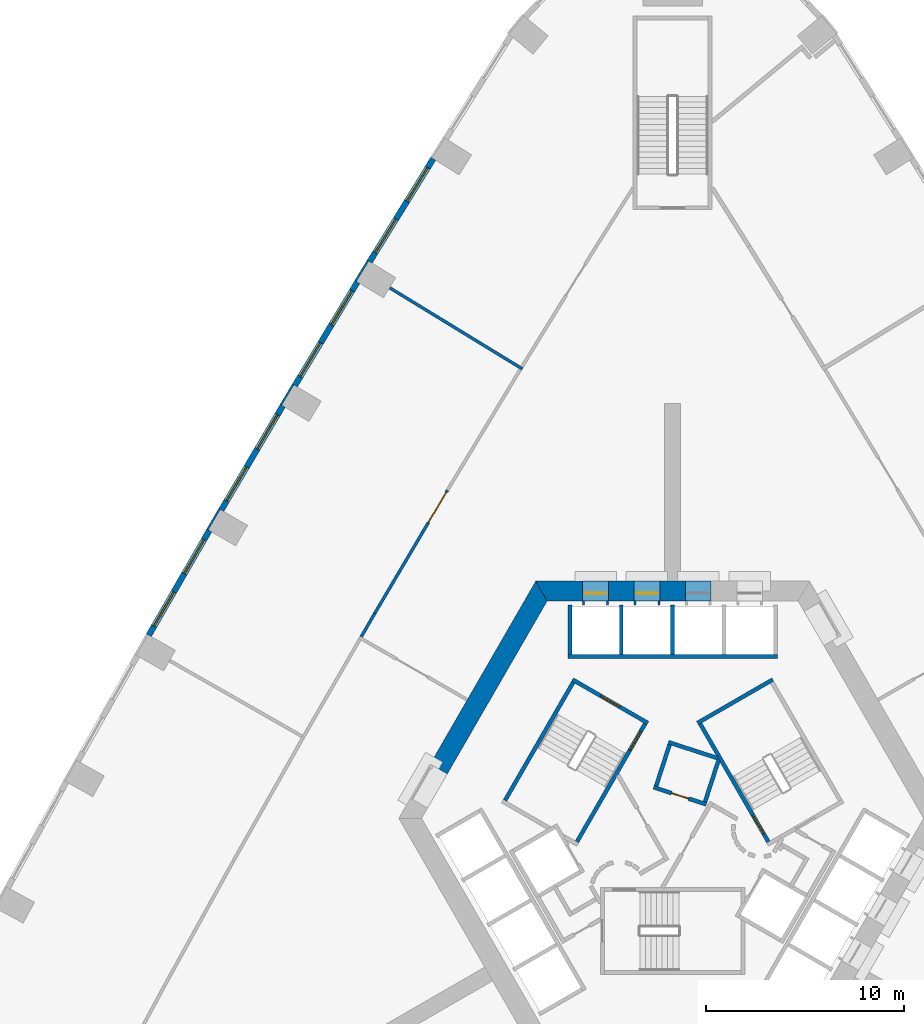
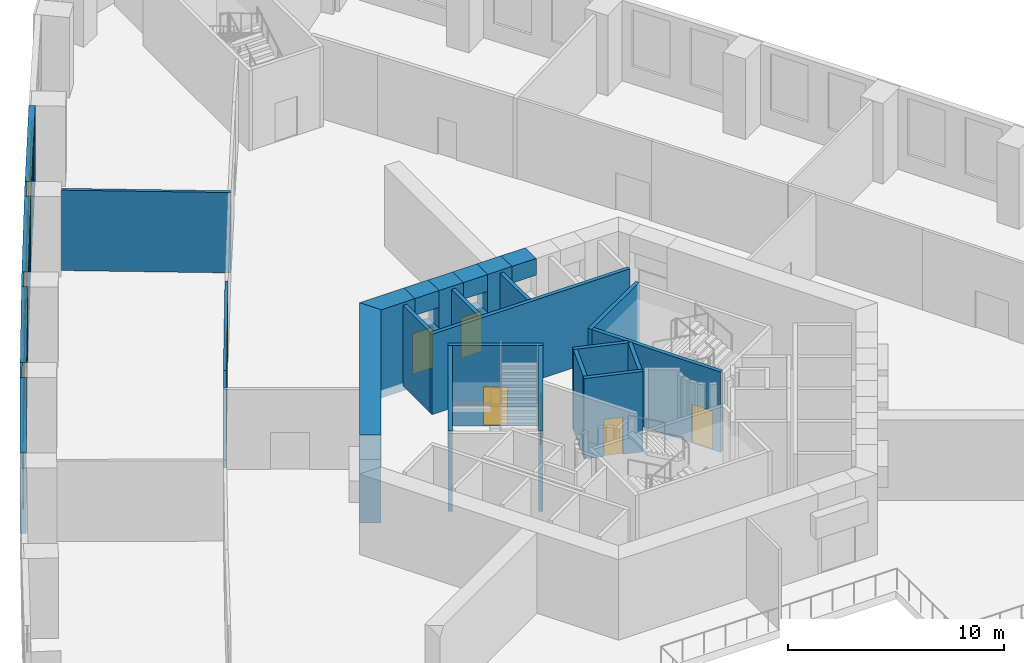
# One storey, part 5 of 16: 32 walls, 8 windows, 7 doors, 15 openings.
"""IFC4 building model written with IfcOpenShell, lengths in metres."""

from ifc_helpers import new_model, si_unit, direction, frame, frame_2d, origin, place, context, subcontext, project, spatial, polyline, rectangle, outline, extrude, material, layer, layer_set, type_object, element, fill, save


model = new_model("IFC4")

# Units and contexts
model_context = context("Model", 3, precision=1e-05, world=origin(), true_north=direction((0.0, 1.0)))
body_context = subcontext(model_context, "Body", "Model", "MODEL_VIEW")
ifc_project = project(units=[si_unit("LENGTHUNIT", "METRE"), si_unit("AREAUNIT", "SQUARE_METRE"), si_unit("VOLUMEUNIT", "CUBIC_METRE"), si_unit("PLANEANGLEUNIT", "RADIAN"), si_unit("MASSUNIT", "GRAM", prefix="KILO")], contexts=[model_context])

# Site, building, storey
site_placement = place(None, origin())
site = spatial("IfcSite", under=ifc_project, at=site_placement, CompositionType="ELEMENT")
building_placement = place(site_placement, origin())
building = spatial("IfcBuilding", under=site, at=building_placement, Name="Entoto Arch Interchange Tower", CompositionType="ELEMENT")
storey_placement = place(building_placement, frame((0.0, 0.0, 15.0)))
storey = spatial("IfcBuildingStorey", under=building, at=storey_placement, Name="L02", CompositionType="ELEMENT", Elevation=15.0)

# Walls
ifc_material_1 = material(Name="Concrete C60/75", Category="concrete")
ifc_layer_1 = layer(ifc_material_1, 1.0)
ifc_layer_set_1 = layer_set([ifc_layer_1], Name="Concrete C60/75")
wall_type_1 = type_object("IfcWallType", Name="Core wall 1000 C60/75", PredefinedType="SHEAR", material=ifc_layer_set_1)
wall_1_placement = place(storey_placement, frame((0.0, 0.0, -0.449951171875)))
element("IfcWall", 1, at=wall_1_placement, inside=storey, type_object=wall_type_1, Name="Core wall N L02", PredefinedType="SHEAR", context=body_context, shape_type="SweptSolid", body=[
    extrude(outline(polyline([(-0.64990234375, 14.5), (-0.64990234375, 13.5), (0.64990234375, 13.5), (0.64990234375, 14.5), (-0.64990234375, 14.5)])), origin(), (0.0, 0.0, 1.0), 5.0),
])
wall_2_placement = place(storey_placement, frame((0.0, 0.0, -0.449951171875)))
element("IfcWall", 2, at=wall_2_placement, inside=storey, type_object=wall_type_1, Name="Core wall N L02", PredefinedType="SHEAR", context=body_context, shape_type="SweptSolid", body=[
    extrude(outline(polyline([(-3.25, 14.5), (-3.25, 13.5), (-1.949951171875, 13.5), (-1.949951171875, 14.5), (-3.25, 14.5)])), origin(), (0.0, 0.0, 1.0), 5.0),
])
wall_3_placement = place(storey_placement, frame((0.0, 0.0, -0.449951171875)))
element("IfcWall", 3, at=wall_3_placement, inside=storey, type_object=wall_type_1, Name="Core wall N L02", PredefinedType="SHEAR", context=body_context, shape_type="SweptSolid", body=[
    extrude(outline(polyline([(-4.550048828125, 13.5), (-4.550048828125, 14.5), (-6.927978515625, 14.5), (-6.35107421875, 13.5), (-4.550048828125, 13.5)])), origin(), (0.0, 0.0, 1.0), 5.0),
])
wall_4_placement = place(storey_placement, frame((0.0, 0.0, 3.60009765625)))
element("IfcWall", 4, at=wall_4_placement, inside=storey, type_object=wall_type_1, Name="Core wall lintel N L02", PredefinedType="SHEAR", context=body_context, shape_type="SweptSolid", body=[
    extrude(outline(polyline([(0.64990234375, 14.5), (0.64990234375, 13.5), (1.949951171875, 13.5), (1.949951171875, 14.5), (0.64990234375, 14.5)])), origin(), (0.0, 0.0, 1.0), 0.949951171875),
])
wall_5_placement = place(storey_placement, frame((0.0, 0.0, 3.60009765625)))
element("IfcWall", 5, at=wall_5_placement, inside=storey, type_object=wall_type_1, Name="Core wall lintel N L02", PredefinedType="SHEAR", context=body_context, shape_type="SweptSolid", body=[
    extrude(outline(polyline([(-1.949951171875, 14.5), (-1.949951171875, 13.5), (-0.64990234375, 13.5), (-0.64990234375, 14.5), (-1.949951171875, 14.5)])), origin(), (0.0, 0.0, 1.0), 0.949951171875),
])
wall_6_placement = place(storey_placement, frame((0.0, 0.0, 3.60009765625)))
element("IfcWall", 6, at=wall_6_placement, inside=storey, type_object=wall_type_1, Name="Core wall lintel N L02", PredefinedType="SHEAR", context=body_context, shape_type="SweptSolid", body=[
    extrude(outline(polyline([(-4.550048828125, 14.5), (-4.550048828125, 13.5), (-3.25, 13.5), (-3.25, 14.5), (-4.550048828125, 14.5)])), origin(), (0.0, 0.0, 1.0), 0.949951171875),
])
wall_7_placement = place(storey_placement, frame((0.0, 0.0, -0.449951171875)))
element("IfcWall", 7, at=wall_7_placement, inside=storey, type_object=wall_type_1, Name="Core wall NW L02", PredefinedType="SHEAR", context=body_context, shape_type="SweptSolid", body=[
    extrude(outline(polyline([(-12.26708984375, 5.251953125), (-11.402099609375, 4.751953125), (-6.35107421875, 13.5), (-6.927978515625, 14.5), (-12.26708984375, 5.251953125)])), origin(), (0.0, 0.0, 1.0), 5.0),
])

# Wall, opening, door
ifc_material_2 = material(Name="Concrete C40/50", Category="concrete")
ifc_layer_2 = layer(ifc_material_2, 1.199951171875)
ifc_layer_set_2 = layer_set([ifc_layer_2], Name="Concrete C40/50")
wall_type_2 = type_object("IfcWallType", Name="LIFT LANDING INFILL WALL", PredefinedType="STANDARD", material=ifc_layer_set_2)
wall_8_placement = place(storey_placement, frame((-0.64990234375, 13.89990234375, 0.0), z_axis=(0.0, 0.0, 1.0), x_axis=(-1.0, 0.0, 0.0)))
wall_8 = element("IfcWall", 8, at=wall_8_placement, inside=storey, type_object=wall_type_2, Name="Lift landing infill wall LR3 L02", PredefinedType="STANDARD", context=body_context, shape_type="SweptSolid", body=[
    extrude(rectangle(XDim=1.300048828125, YDim=1.199951171875, at=frame_2d((0.64990234375, 0.0))), origin(), (0.0, 0.0, 1.0), 2.39990234375),
])
opening_1_placement = place(wall_8_placement, frame((0.10009765625, 0.0, 0.0)))
opening_1 = element("IfcOpeningElement", 9, at=opening_1_placement, cuts=wall_8, Name="Opening LD-LR3-L02", PredefinedType="OPENING", context=body_context, shape_type="SweptSolid", body=[
    extrude(rectangle(XDim=1.10009765625, YDim=2.300048828125, at=frame_2d((0.550048828125, 1.14990234375))), frame((0.0, 0.60986328125, 0.0), z_axis=(0.0, -1.0, 0.0), x_axis=(1.0, 0.0, 0.0)), (0.0, 0.0, 1.0), 1.219970703125),
])
ifc_material_3 = material(Name="Stainless steel 1.4301 panels", Category="steel")
door_type_1 = type_object("IfcDoorType", Name="LIFT LANDING DOOR LD2 1100x2300", OperationType="SLIDING_TO_LEFT", PredefinedType="DOOR", material=ifc_material_3)
door_1_placement = place(opening_1_placement, origin())
door_1 = element("IfcDoor", 10, at=door_1_placement, inside=storey, type_object=door_type_1, Name="Lift landing door LR3 L02", OperationType="SLIDING_TO_LEFT", OverallHeight=2.300048828125, OverallWidth=1.10009765625, PredefinedType="DOOR", context=body_context, shape_type="SweptSolid", body=[
    extrude(rectangle(XDim=1.10009765625, YDim=2.300048828125, at=frame_2d((0.550048828125, 1.14990234375))), frame((0.0, 0.02490234375, 0.0), z_axis=(0.0, -1.0, 0.0), x_axis=(1.0, 0.0, 0.0)), (0.0, 0.0, 1.0), 0.050048828125),
])
fill(opening_1, door_1)

wall_9_placement = place(storey_placement, frame((-3.25, 13.89990234375, 0.0), z_axis=(0.0, 0.0, 1.0), x_axis=(-1.0, 0.0, 0.0)))
wall_9 = element("IfcWall", 11, at=wall_9_placement, inside=storey, type_object=wall_type_2, Name="Lift landing infill wall LR4 L02", PredefinedType="STANDARD", context=body_context, shape_type="SweptSolid", body=[
    extrude(rectangle(XDim=1.300048828125, YDim=1.199951171875, at=frame_2d((0.64990234375, 0.0))), origin(), (0.0, 0.0, 1.0), 2.39990234375),
])
opening_2_placement = place(wall_9_placement, frame((0.10009765625, 0.0, 0.0)))
opening_2 = element("IfcOpeningElement", 12, at=opening_2_placement, cuts=wall_9, Name="Opening LD-LR4-L02", PredefinedType="OPENING", context=body_context, shape_type="SweptSolid", body=[
    extrude(rectangle(XDim=1.10009765625, YDim=2.300048828125, at=frame_2d((0.550048828125, 1.14990234375))), frame((0.0, 0.60986328125, 0.0), z_axis=(0.0, -1.0, 0.0), x_axis=(1.0, 0.0, 0.0)), (0.0, 0.0, 1.0), 1.219970703125),
])
door_2_placement = place(opening_2_placement, origin())
door_2 = element("IfcDoor", 13, at=door_2_placement, inside=storey, type_object=door_type_1, Name="Lift landing door LR4 L02", OperationType="SLIDING_TO_LEFT", OverallHeight=2.300048828125, OverallWidth=1.10009765625, PredefinedType="DOOR", context=body_context, shape_type="SweptSolid", body=[
    extrude(rectangle(XDim=1.10009765625, YDim=2.300048828125, at=frame_2d((0.550048828125, 1.14990234375))), frame((0.0, 0.02490234375, 0.0), z_axis=(0.0, -1.0, 0.0), x_axis=(1.0, 0.0, 0.0)), (0.0, 0.0, 1.0), 0.050048828125),
])
fill(opening_2, door_2)

# Walls
ifc_layer_3 = layer(ifc_material_2, 0.199951171875)
ifc_layer_set_3 = layer_set([ifc_layer_3], Name="Concrete C40/50")
wall_type_3 = type_object("IfcWallType", Name="LIFT SHAFT WALL 200", PredefinedType="STANDARD", material=ifc_layer_set_3)
wall_10_placement = place(storey_placement, frame((5.300048828125, 10.699951171875, 0.0), z_axis=(0.0, 0.0, 1.0), x_axis=(-1.0, 0.0, 0.0)))
element("IfcWall", 14, at=wall_10_placement, inside=storey, type_object=wall_type_3, Name="Shaft wall N3 front", PredefinedType="STANDARD", context=body_context, shape_type="SweptSolid", body=[
    extrude(rectangle(XDim=10.60009765625, YDim=0.199951171875, at=frame_2d((5.300048828125, 0.0))), origin(), (0.0, 0.0, 1.0), 4.550048828125),
])
for number, where, z_axis, x_axis, name in (
    (15, (0.0, 10.800048828125, 0.0), (0.0, 0.0, 1.0), (0.0, 1.0, 0.0), "Shaft wall N3 cross 3"),
    (16, (-2.60009765625, 10.800048828125, 0.0), (0.0, 0.0, 1.0), (0.0, 1.0, 0.0), "Shaft wall N3 cross 4"),
    (17, (-5.199951171875, 10.800048828125, 0.0), (0.0, 0.0, 1.0), (0.0, 1.0, 0.0), "Shaft wall N3 cross 5"),
):
    element("IfcWall", number, at=place(storey_placement, frame(where, z_axis=z_axis, x_axis=x_axis)), inside=storey, type_object=wall_type_3, Name=name, PredefinedType="STANDARD", context=body_context, shape_type="SweptSolid", body=[
        extrude(rectangle(XDim=2.5, YDim=0.199951171875, at=frame_2d((1.25, 0.0))), origin(), (0.0, 0.0, 1.0), 4.550048828125),
    ])
ifc_material_4 = material(Name="Gypsum board partition on steel studs", Category="steel")
ifc_layer_4 = layer(ifc_material_4, 0.14990234375)
ifc_layer_set_4 = layer_set([ifc_layer_4], Name="Gypsum board partition on steel studs")
wall_type_4 = type_object("IfcWallType", Name="PARTITION 150", PredefinedType="PARTITIONING", material=ifc_layer_set_4)
wall_11_placement = place(storey_placement, frame((-7.60400390625, 25.243896484375, 0.0), z_axis=(0.0, 0.0, 1.0), x_axis=(-0.853159640052, 0.521649909985, 0.0)))
element("IfcWall", 18, at=wall_11_placement, inside=storey, type_object=wall_type_4, Name="wall:L02:p062", PredefinedType="PARTITIONING", context=body_context, shape_type="SweptSolid", body=[
    extrude(rectangle(XDim=7.854248046875, YDim=0.14990234375, at=frame_2d((3.92724609375, 0.0))), origin(), (0.0, 0.0, 1.0), 4.550048828125),
])

# Wall, opening, door
wall_12_placement = place(storey_placement, frame((-11.39697265625, 19.10107421875, 0.0), z_axis=(0.0, 0.0, 1.0), x_axis=(-0.508419849244, -0.861109317621, 0.0)))
wall_12 = element("IfcWall", 19, at=wall_12_placement, inside=storey, type_object=wall_type_4, Name="wall:L02:p067", PredefinedType="PARTITIONING", context=body_context, shape_type="SweptSolid", body=[
    extrude(rectangle(XDim=7.230224609375, YDim=0.14990234375, at=frame_2d((3.615234375, 0.0))), origin(), (0.0, 0.0, 1.0), 4.550048828125),
])
opening_3_placement = place(wall_12_placement, frame((0.10009765625, 0.0, 0.0)))
opening_3 = element("IfcOpeningElement", 20, at=opening_3_placement, cuts=wall_12, Name="Opening L02-D10", PredefinedType="OPENING", context=body_context, shape_type="SweptSolid", body=[
    extrude(rectangle(XDim=1.800048828125, YDim=2.10009765625, at=frame_2d((0.89990234375, 1.050048828125))), frame((0.0, 0.0849609375, 0.0), z_axis=(0.0, -1.0, 0.0), x_axis=(1.0, 0.0, 0.0)), (0.0, 0.0, 1.0), 0.169921875),
])
ifc_material_5 = material(Name="Timber door leaf in Steel S235 frame", Category="steel")
door_type_2 = type_object("IfcDoorType", Name="DOOR DD-18 1800x2100", OperationType="DOUBLE_DOOR_SINGLE_SWING", PredefinedType="DOOR", material=ifc_material_5)
door_3_placement = place(opening_3_placement, origin())
door_3 = element("IfcDoor", 21, at=door_3_placement, inside=storey, type_object=door_type_2, Name="door:L02:10", OperationType="DOUBLE_DOOR_SINGLE_SWING", OverallHeight=2.10009765625, OverallWidth=1.800048828125, PredefinedType="DOOR", context=body_context, shape_type="SweptSolid", body=[
    extrude(rectangle(XDim=1.800048828125, YDim=2.10009765625, at=frame_2d((0.89990234375, 1.050048828125))), frame((0.0, 0.02490234375, 0.0), z_axis=(0.0, -1.0, 0.0), x_axis=(1.0, 0.0, 0.0)), (0.0, 0.0, 1.0), 0.050048828125),
])
fill(opening_3, door_3)

# Walls
wall_13_placement = place(storey_placement, frame((-15.072998046875, 12.875, 0.0), z_axis=(0.0, 0.0, 1.0), x_axis=(-0.499773776046, -0.866155974855, 0.0)))
element("IfcWall", 22, at=wall_13_placement, inside=storey, type_object=wall_type_4, Name="wall:L02:p068", PredefinedType="PARTITIONING", context=body_context, shape_type="SweptSolid", body=[
    extrude(rectangle(XDim=1.372802734375, YDim=0.14990234375, at=frame_2d((0.6865234375, 0.0))), origin(), (0.0, 0.0, 1.0), 4.550048828125),
])
ifc_layer_5 = layer(ifc_material_4, 0.199951171875)
ifc_layer_set_5 = layer_set([ifc_layer_5], Name="Gypsum board partition on steel studs")
wall_type_5 = type_object("IfcWallType", Name="PARTITION 200", PredefinedType="PARTITIONING", material=ifc_layer_set_5)
wall_14_placement = place(storey_placement, frame((2.284912109375, 5.54296875, 0.0), z_axis=(0.0, 0.0, 1.0), x_axis=(-0.951121264368, 0.308817649215, 0.0)))
element("IfcWall", 23, at=wall_14_placement, inside=storey, type_object=wall_type_5, Name="wall:L02:p012", PredefinedType="PARTITIONING", context=body_context, shape_type="SweptSolid", body=[
    extrude(rectangle(XDim=2.632568359375, YDim=0.199951171875, at=frame_2d((1.31640625, 0.0))), origin(), (0.0, 0.0, 1.0), 4.550048828125),
])
wall_15_placement = place(storey_placement, frame((-0.155029296875, 6.22998046875, 0.0), z_axis=(0.0, 0.0, 1.0), x_axis=(-0.309093600997, -0.951031621884, 0.0)))
element("IfcWall", 24, at=wall_15_placement, inside=storey, type_object=wall_type_5, Name="wall:L02:p013", PredefinedType="PARTITIONING", context=body_context, shape_type="SweptSolid", body=[
    extrude(rectangle(XDim=2.19970703125, YDim=0.199951171875, at=frame_2d((1.099853515625, 0.0))), origin(), (0.0, 0.0, 1.0), 4.550048828125),
])

# Wall, opening, door
wall_16_placement = place(storey_placement, frame((-0.9609375, 4.073974609375, 0.0), z_axis=(0.0, 0.0, 1.0), x_axis=(0.951079555704, -0.308946077369, 0.0)))
wall_16 = element("IfcWall", 25, at=wall_16_placement, inside=storey, type_object=wall_type_5, Name="wall:L02:p014", PredefinedType="PARTITIONING", context=body_context, shape_type="SweptSolid", body=[
    extrude(rectangle(XDim=2.7998046875, YDim=0.199951171875, at=frame_2d((1.39990234375, 0.0))), origin(), (0.0, 0.0, 1.0), 4.550048828125),
])
opening_4_placement = place(wall_16_placement, frame((0.949951171875, 0.0, 0.0)))
opening_4 = element("IfcOpeningElement", 26, at=opening_4_placement, cuts=wall_16, Name="Opening L02-D16", PredefinedType="OPENING", context=body_context, shape_type="SweptSolid", body=[
    extrude(rectangle(XDim=0.89990234375, YDim=2.10009765625, at=frame_2d((0.449951171875, 1.050048828125))), frame((0.0, 0.10986328125, 0.0), z_axis=(0.0, -1.0, 0.0), x_axis=(1.0, 0.0, 0.0)), (0.0, 0.0, 1.0), 0.219970703125),
])
door_type_3 = type_object("IfcDoorType", Name="DOOR DS-09 900x2100", OperationType="SINGLE_SWING_LEFT", PredefinedType="DOOR", material=ifc_material_5)
door_4_placement = place(opening_4_placement, origin())
door_4 = element("IfcDoor", 27, at=door_4_placement, inside=storey, type_object=door_type_3, Name="door:L02:16", OperationType="SINGLE_SWING_LEFT", OverallHeight=2.10009765625, OverallWidth=0.89990234375, PredefinedType="DOOR", context=body_context, shape_type="SweptSolid", body=[
    extrude(rectangle(XDim=0.89990234375, YDim=2.10009765625, at=frame_2d((0.449951171875, 1.050048828125))), frame((0.0, 0.02490234375, 0.0), z_axis=(0.0, -1.0, 0.0), x_axis=(1.0, 0.0, 0.0)), (0.0, 0.0, 1.0), 0.050048828125),
])
fill(opening_4, door_4)

# Walls
wall_17_placement = place(storey_placement, frame((1.637939453125, 3.3349609375, 0.0), z_axis=(0.0, 0.0, 1.0), x_axis=(0.309152647294, 0.951012429294, 0.0)))
element("IfcWall", 28, at=wall_17_placement, inside=storey, type_object=wall_type_5, Name="wall:L02:p015", PredefinedType="PARTITIONING", context=body_context, shape_type="SweptSolid", body=[
    extrude(rectangle(XDim=2.23876953125, YDim=0.199951171875, at=frame_2d((1.119384765625, 0.0))), origin(), (0.0, 0.0, 1.0), 4.550048828125),
])
ifc_layer_6 = layer(ifc_material_2, 0.199951171875)
ifc_layer_set_6 = layer_set([ifc_layer_6], Name="Concrete C40/50")
wall_type_6 = type_object("IfcWallType", Name="STAIR ENCLOSURE WALL 200", PredefinedType="STANDARD", material=ifc_layer_set_6)
wall_18_placement = place(storey_placement, frame((1.256103515625, 7.323974609375, 0.0), z_axis=(0.0, 0.0, 1.0), x_axis=(0.866046073146, 0.499964197906, 0.0)))
element("IfcWall", 29, at=wall_18_placement, inside=storey, type_object=wall_type_6, Name="Stair wall ST-NE far", PredefinedType="STANDARD", context=body_context, shape_type="SweptSolid", body=[
    extrude(rectangle(XDim=4.400146484375, YDim=0.199951171875, at=frame_2d((2.2001953125, 0.0))), origin(), (0.0, 0.0, 1.0), 4.550048828125),
])

# Wall, opening, door
wall_19_placement = place(storey_placement, frame((4.843017578125, 1.31201171875, 0.0), z_axis=(0.0, 0.0, 1.0), x_axis=(-0.499963383562, 0.866046543262, 0.0)))
wall_19 = element("IfcWall", 30, at=wall_19_placement, inside=storey, type_object=wall_type_6, Name="Stair wall ST-NE hall", PredefinedType="STANDARD", context=body_context, shape_type="SweptSolid", body=[
    extrude(rectangle(XDim=6.900390625, YDim=0.199951171875, at=frame_2d((3.4501953125, 0.0))), origin(), (0.0, 0.0, 1.0), 4.550048828125),
])
opening_5_placement = place(wall_19_placement, frame((0.449951171875, 0.0, 0.0)))
opening_5 = element("IfcOpeningElement", 31, at=opening_5_placement, cuts=wall_19, Name="Opening SD-ST-NE-L02", PredefinedType="OPENING", context=body_context, shape_type="SweptSolid", body=[
    extrude(rectangle(XDim=1.10009765625, YDim=2.199951171875, at=frame_2d((0.550048828125, 1.10009765625))), frame((0.0, 0.10986328125, 0.0), z_axis=(0.0, -1.0, 0.0), x_axis=(1.0, 0.0, 0.0)), (0.0, 0.0, 1.0), 0.219970703125),
])
ifc_material_6 = material(Name="Steel S235", Category="steel")
door_type_4 = type_object("IfcDoorType", Name="STAIR DOOR SD1 1100x2200", OperationType="SINGLE_SWING_LEFT", PredefinedType="DOOR", material=ifc_material_6)
door_5_placement = place(opening_5_placement, origin())
door_5 = element("IfcDoor", 32, at=door_5_placement, inside=storey, type_object=door_type_4, Name="Stair door ST-NE L02", OperationType="SINGLE_SWING_LEFT", OverallHeight=2.199951171875, OverallWidth=1.10009765625, PredefinedType="DOOR", context=body_context, shape_type="SweptSolid", body=[
    extrude(rectangle(XDim=1.10009765625, YDim=2.199951171875, at=frame_2d((0.550048828125, 1.10009765625))), frame((0.0, 0.02490234375, 0.0), z_axis=(0.0, -1.0, 0.0), x_axis=(1.0, 0.0, 0.0)), (0.0, 0.0, 1.0), 0.050048828125),
])
fill(opening_5, door_5)

wall_20_placement = place(storey_placement, frame((-1.256103515625, 7.323974609375, 0.0), z_axis=(0.0, 0.0, 1.0), x_axis=(-0.866046073146, 0.499964197906, 0.0)))
wall_20 = element("IfcWall", 33, at=wall_20_placement, inside=storey, type_object=wall_type_6, Name="Stair wall ST-NW near", PredefinedType="STANDARD", context=body_context, shape_type="SweptSolid", body=[
    extrude(rectangle(XDim=4.400146484375, YDim=0.199951171875, at=frame_2d((2.2001953125, 0.0))), origin(), (0.0, 0.0, 1.0), 4.550048828125),
])
opening_6_placement = place(wall_20_placement, frame((1.64990234375, 0.0, 0.0)))
opening_6 = element("IfcOpeningElement", 34, at=opening_6_placement, cuts=wall_20, Name="Opening SD-ST-NW-L02-E", PredefinedType="OPENING", context=body_context, shape_type="SweptSolid", body=[
    extrude(rectangle(XDim=1.10009765625, YDim=2.199951171875, at=frame_2d((0.550048828125, 1.10009765625))), frame((0.0, 0.10986328125, 0.0), z_axis=(0.0, -1.0, 0.0), x_axis=(1.0, 0.0, 0.0)), (0.0, 0.0, 1.0), 0.219970703125),
])
door_6_placement = place(opening_6_placement, origin())
door_6 = element("IfcDoor", 35, at=door_6_placement, inside=storey, type_object=door_type_4, Name="Stair door ST-NW L02 end", OperationType="SINGLE_SWING_LEFT", OverallHeight=2.199951171875, OverallWidth=1.10009765625, PredefinedType="DOOR", context=body_context, shape_type="SweptSolid", body=[
    extrude(rectangle(XDim=1.10009765625, YDim=2.199951171875, at=frame_2d((0.550048828125, 1.10009765625))), frame((0.0, 0.02490234375, 0.0), z_axis=(0.0, -1.0, 0.0), x_axis=(1.0, 0.0, 0.0)), (0.0, 0.0, 1.0), 0.050048828125),
])
fill(opening_6, door_6)

wall_21_placement = place(storey_placement, frame((-1.39306640625, 7.2880859375, 0.0), z_axis=(0.0, 0.0, 1.0), x_axis=(-0.499963383562, -0.866046543262, 0.0)))
wall_21 = element("IfcWall", 36, at=wall_21_placement, inside=storey, type_object=wall_type_6, Name="Stair wall ST-NW hall", PredefinedType="STANDARD", context=body_context, shape_type="SweptSolid", body=[
    extrude(rectangle(XDim=6.900390625, YDim=0.199951171875, at=frame_2d((3.4501953125, 0.0))), origin(), (0.0, 0.0, 1.0), 4.550048828125),
])
opening_7_placement = place(wall_21_placement, frame((0.449951171875, 0.0, 0.0)))
opening_7 = element("IfcOpeningElement", 37, at=opening_7_placement, cuts=wall_21, Name="Opening SD-ST-NW-L02", PredefinedType="OPENING", context=body_context, shape_type="SweptSolid", body=[
    extrude(rectangle(XDim=1.10009765625, YDim=2.199951171875, at=frame_2d((0.550048828125, 1.10009765625))), frame((0.0, 0.10986328125, 0.0), z_axis=(0.0, -1.0, 0.0), x_axis=(1.0, 0.0, 0.0)), (0.0, 0.0, 1.0), 0.219970703125),
])
door_7_placement = place(opening_7_placement, origin())
door_7 = element("IfcDoor", 38, at=door_7_placement, inside=storey, type_object=door_type_4, Name="Stair door ST-NW L02", OperationType="SINGLE_SWING_LEFT", OverallHeight=2.199951171875, OverallWidth=1.10009765625, PredefinedType="DOOR", context=body_context, shape_type="SweptSolid", body=[
    extrude(rectangle(XDim=1.10009765625, YDim=2.199951171875, at=frame_2d((0.550048828125, 1.10009765625))), frame((0.0, 0.02490234375, 0.0), z_axis=(0.0, -1.0, 0.0), x_axis=(1.0, 0.0, 0.0)), (0.0, 0.0, 1.0), 0.050048828125),
])
fill(opening_7, door_7)

# Wall
wall_22_placement = place(storey_placement, frame((-5.030029296875, 9.387939453125, 0.0), z_axis=(0.0, 0.0, 1.0), x_axis=(-0.499978703459, -0.866037698999, 0.0)))
element("IfcWall", 39, at=wall_22_placement, inside=storey, type_object=wall_type_6, Name="Stair wall ST-NW back", PredefinedType="STANDARD", context=body_context, shape_type="SweptSolid", body=[
    extrude(rectangle(XDim=6.900146484375, YDim=0.199951171875, at=frame_2d((3.4501953125, 0.0))), origin(), (0.0, 0.0, 1.0), 4.550048828125),
])

# Wall, openings, windows
ifc_material_7 = material(Name="Welded tuff (ignimbrite) cladding, warm buff", Category="masonry")
ifc_layer_7 = layer(ifc_material_7, 0.300048828125)
ifc_layer_set_7 = layer_set([ifc_layer_7], Name="Welded tuff (ignimbrite) cladding, warm buff")
wall_type_7 = type_object("IfcWallType", Name="STONE INFILL WALL 300", PredefinedType="STANDARD", material=ifc_layer_set_7)
wall_23_placement = place(storey_placement, frame((-12.116943359375, 35.881103515625, 0.0), z_axis=(0.0, 0.0, 1.0), x_axis=(-0.524953701886, -0.85113078365, 0.0)))
wall_23 = element("IfcWall", 40, at=wall_23_placement, inside=storey, type_object=wall_type_7, Name="Facade wall NW-02 L02", PredefinedType="STANDARD", context=body_context, shape_type="SweptSolid", body=[
    extrude(rectangle(XDim=6.12255859375, YDim=0.300048828125, at=frame_2d((3.061279296875, 0.0))), origin(), (0.0, 0.0, 1.0), 4.550048828125),
])
opening_8_placement = place(wall_23_placement, frame((0.531005859375, 0.0, 1.0)))
opening_8 = element("IfcOpeningElement", 41, at=opening_8_placement, cuts=wall_23, Name="Opening WP-E", PredefinedType="OPENING", context=body_context, shape_type="SweptSolid", body=[
    extrude(rectangle(XDim=2.0, YDim=3.199951171875, at=frame_2d((1.0, 1.60009765625))), frame((0.0, 0.16015625, 0.0), z_axis=(0.0, -1.0, 0.0), x_axis=(1.0, 0.0, 0.0)), (0.0, 0.0, 1.0), 0.320068359375),
])
opening_9_placement = place(wall_23_placement, frame((3.592041015625, 0.0, 1.0)))
opening_9 = element("IfcOpeningElement", 42, at=opening_9_placement, cuts=wall_23, Name="Opening WP-E", PredefinedType="OPENING", context=body_context, shape_type="SweptSolid", body=[
    extrude(rectangle(XDim=2.0, YDim=3.199951171875, at=frame_2d((1.0, 1.60009765625))), frame((0.0, 0.16015625, 0.0), z_axis=(0.0, -1.0, 0.0), x_axis=(1.0, 0.0, 0.0)), (0.0, 0.0, 1.0), 0.320068359375),
])
ifc_material_8 = material(Name="Clear glass, low-e double glazed", Category="glass")
window_type = type_object("IfcWindowType", Name="WINDOW WP-E 2000x3200", PartitioningType="DOUBLE_PANEL_VERTICAL", PredefinedType="WINDOW", material=ifc_material_8)
window_1_placement = place(opening_8_placement, origin())
window_1 = element("IfcWindow", 43, at=window_1_placement, inside=storey, type_object=window_type, Name="Window WP-E NW-02 L02", OverallHeight=3.199951171875, OverallWidth=2.0, PartitioningType="SINGLE_PANEL", PredefinedType="WINDOW", context=body_context, shape_type="SweptSolid", body=[
    extrude(rectangle(XDim=2.0, YDim=3.199951171875, at=frame_2d((1.0, 1.60009765625))), frame((0.0, 0.030029296875, 0.0), z_axis=(0.0, -1.0, 0.0), x_axis=(1.0, 0.0, 0.0)), (0.0, 0.0, 1.0), 0.06005859375),
])
fill(opening_8, window_1)
window_2_placement = place(opening_9_placement, origin())
window_2 = element("IfcWindow", 44, at=window_2_placement, inside=storey, type_object=window_type, Name="Window WP-E NW-02 L02", OverallHeight=3.199951171875, OverallWidth=2.0, PartitioningType="SINGLE_PANEL", PredefinedType="WINDOW", context=body_context, shape_type="SweptSolid", body=[
    extrude(rectangle(XDim=2.0, YDim=3.199951171875, at=frame_2d((1.0, 1.60009765625))), frame((0.0, 0.030029296875, 0.0), z_axis=(0.0, -1.0, 0.0), x_axis=(1.0, 0.0, 0.0)), (0.0, 0.0, 1.0), 0.06005859375),
])
fill(opening_9, window_2)

wall_24_placement = place(storey_placement, frame((-15.9541015625, 29.64697265625, 0.0), z_axis=(0.0, 0.0, 1.0), x_axis=(-0.516687651362, -0.85617397235, 0.0)))
wall_24 = element("IfcWall", 45, at=wall_24_placement, inside=storey, type_object=wall_type_7, Name="Facade wall NW-03 L02", PredefinedType="STANDARD", context=body_context, shape_type="SweptSolid", body=[
    extrude(rectangle(XDim=6.121337890625, YDim=0.300048828125, at=frame_2d((3.060546875, 0.0))), origin(), (0.0, 0.0, 1.0), 4.550048828125),
])
opening_10_placement = place(wall_24_placement, frame((0.530029296875, 0.0, 1.0)))
opening_10 = element("IfcOpeningElement", 46, at=opening_10_placement, cuts=wall_24, Name="Opening WP-E", PredefinedType="OPENING", context=body_context, shape_type="SweptSolid", body=[
    extrude(rectangle(XDim=2.0, YDim=3.199951171875, at=frame_2d((1.0, 1.60009765625))), frame((0.0, 0.16015625, 0.0), z_axis=(0.0, -1.0, 0.0), x_axis=(1.0, 0.0, 0.0)), (0.0, 0.0, 1.0), 0.320068359375),
])
opening_11_placement = place(wall_24_placement, frame((3.591064453125, 0.0, 1.0)))
opening_11 = element("IfcOpeningElement", 47, at=opening_11_placement, cuts=wall_24, Name="Opening WP-E", PredefinedType="OPENING", context=body_context, shape_type="SweptSolid", body=[
    extrude(rectangle(XDim=2.0, YDim=3.199951171875, at=frame_2d((1.0, 1.60009765625))), frame((0.0, 0.16015625, 0.0), z_axis=(0.0, -1.0, 0.0), x_axis=(1.0, 0.0, 0.0)), (0.0, 0.0, 1.0), 0.320068359375),
])
window_3_placement = place(opening_10_placement, origin())
window_3 = element("IfcWindow", 48, at=window_3_placement, inside=storey, type_object=window_type, Name="Window WP-E NW-03 L02", OverallHeight=3.199951171875, OverallWidth=2.0, PartitioningType="SINGLE_PANEL", PredefinedType="WINDOW", context=body_context, shape_type="SweptSolid", body=[
    extrude(rectangle(XDim=2.0, YDim=3.199951171875, at=frame_2d((1.0, 1.60009765625))), frame((0.0, 0.030029296875, 0.0), z_axis=(0.0, -1.0, 0.0), x_axis=(1.0, 0.0, 0.0)), (0.0, 0.0, 1.0), 0.06005859375),
])
fill(opening_10, window_3)
window_4_placement = place(opening_11_placement, origin())
window_4 = element("IfcWindow", 49, at=window_4_placement, inside=storey, type_object=window_type, Name="Window WP-E NW-03 L02", OverallHeight=3.199951171875, OverallWidth=2.0, PartitioningType="SINGLE_PANEL", PredefinedType="WINDOW", context=body_context, shape_type="SweptSolid", body=[
    extrude(rectangle(XDim=2.0, YDim=3.199951171875, at=frame_2d((1.0, 1.60009765625))), frame((0.0, 0.030029296875, 0.0), z_axis=(0.0, -1.0, 0.0), x_axis=(1.0, 0.0, 0.0)), (0.0, 0.0, 1.0), 0.06005859375),
])
fill(opening_11, window_4)

wall_25_placement = place(storey_placement, frame((-19.73095703125, 23.376953125, 0.0), z_axis=(0.0, 0.0, 1.0), x_axis=(-0.50834231483, -0.861155091115, 0.0)))
wall_25 = element("IfcWall", 50, at=wall_25_placement, inside=storey, type_object=wall_type_7, Name="Facade wall NW-04 L02", PredefinedType="STANDARD", context=body_context, shape_type="SweptSolid", body=[
    extrude(rectangle(XDim=6.1220703125, YDim=0.300048828125, at=frame_2d((3.06103515625, 0.0))), origin(), (0.0, 0.0, 1.0), 4.550048828125),
])
opening_12_placement = place(wall_25_placement, frame((0.530029296875, 0.0, 1.0)))
opening_12 = element("IfcOpeningElement", 51, at=opening_12_placement, cuts=wall_25, Name="Opening WP-E", PredefinedType="OPENING", context=body_context, shape_type="SweptSolid", body=[
    extrude(rectangle(XDim=2.0, YDim=3.199951171875, at=frame_2d((1.0, 1.60009765625))), frame((0.0, 0.16015625, 0.0), z_axis=(0.0, -1.0, 0.0), x_axis=(1.0, 0.0, 0.0)), (0.0, 0.0, 1.0), 0.320068359375),
])
opening_13_placement = place(wall_25_placement, frame((3.591064453125, 0.0, 1.0)))
opening_13 = element("IfcOpeningElement", 52, at=opening_13_placement, cuts=wall_25, Name="Opening WP-E", PredefinedType="OPENING", context=body_context, shape_type="SweptSolid", body=[
    extrude(rectangle(XDim=2.0, YDim=3.199951171875, at=frame_2d((1.0, 1.60009765625))), frame((0.0, 0.16015625, 0.0), z_axis=(0.0, -1.0, 0.0), x_axis=(1.0, 0.0, 0.0)), (0.0, 0.0, 1.0), 0.320068359375),
])
window_5_placement = place(opening_12_placement, origin())
window_5 = element("IfcWindow", 53, at=window_5_placement, inside=storey, type_object=window_type, Name="Window WP-E NW-04 L02", OverallHeight=3.199951171875, OverallWidth=2.0, PartitioningType="SINGLE_PANEL", PredefinedType="WINDOW", context=body_context, shape_type="SweptSolid", body=[
    extrude(rectangle(XDim=2.0, YDim=3.199951171875, at=frame_2d((1.0, 1.60009765625))), frame((0.0, 0.030029296875, 0.0), z_axis=(0.0, -1.0, 0.0), x_axis=(1.0, 0.0, 0.0)), (0.0, 0.0, 1.0), 0.06005859375),
])
fill(opening_12, window_5)
window_6_placement = place(opening_13_placement, origin())
window_6 = element("IfcWindow", 54, at=window_6_placement, inside=storey, type_object=window_type, Name="Window WP-E NW-04 L02", OverallHeight=3.199951171875, OverallWidth=2.0, PartitioningType="SINGLE_PANEL", PredefinedType="WINDOW", context=body_context, shape_type="SweptSolid", body=[
    extrude(rectangle(XDim=2.0, YDim=3.199951171875, at=frame_2d((1.0, 1.60009765625))), frame((0.0, 0.030029296875, 0.0), z_axis=(0.0, -1.0, 0.0), x_axis=(1.0, 0.0, 0.0)), (0.0, 0.0, 1.0), 0.06005859375),
])
fill(opening_13, window_6)

wall_26_placement = place(storey_placement, frame((-23.447021484375, 17.071044921875, 0.0), z_axis=(0.0, 0.0, 1.0), x_axis=(-0.499939977436, -0.866060055055, 0.0)))
wall_26 = element("IfcWall", 55, at=wall_26_placement, inside=storey, type_object=wall_type_7, Name="Facade wall NW-05 L02", PredefinedType="STANDARD", context=body_context, shape_type="SweptSolid", body=[
    extrude(rectangle(XDim=6.120849609375, YDim=0.300048828125, at=frame_2d((3.060546875, 0.0))), origin(), (0.0, 0.0, 1.0), 4.550048828125),
])
opening_14_placement = place(wall_26_placement, frame((0.530029296875, 0.0, 1.0)))
opening_14 = element("IfcOpeningElement", 56, at=opening_14_placement, cuts=wall_26, Name="Opening WP-E", PredefinedType="OPENING", context=body_context, shape_type="SweptSolid", body=[
    extrude(rectangle(XDim=2.0, YDim=3.199951171875, at=frame_2d((1.0, 1.60009765625))), frame((0.0, 0.16015625, 0.0), z_axis=(0.0, -1.0, 0.0), x_axis=(1.0, 0.0, 0.0)), (0.0, 0.0, 1.0), 0.320068359375),
])
opening_15_placement = place(wall_26_placement, frame((3.591064453125, 0.0, 1.0)))
opening_15 = element("IfcOpeningElement", 57, at=opening_15_placement, cuts=wall_26, Name="Opening WP-E", PredefinedType="OPENING", context=body_context, shape_type="SweptSolid", body=[
    extrude(rectangle(XDim=2.0, YDim=3.199951171875, at=frame_2d((1.0, 1.60009765625))), frame((0.0, 0.16015625, 0.0), z_axis=(0.0, -1.0, 0.0), x_axis=(1.0, 0.0, 0.0)), (0.0, 0.0, 1.0), 0.320068359375),
])
window_7_placement = place(opening_14_placement, origin())
window_7 = element("IfcWindow", 58, at=window_7_placement, inside=storey, type_object=window_type, Name="Window WP-E NW-05 L02", OverallHeight=3.199951171875, OverallWidth=2.0, PartitioningType="SINGLE_PANEL", PredefinedType="WINDOW", context=body_context, shape_type="SweptSolid", body=[
    extrude(rectangle(XDim=2.0, YDim=3.199951171875, at=frame_2d((1.0, 1.60009765625))), frame((0.0, 0.030029296875, 0.0), z_axis=(0.0, -1.0, 0.0), x_axis=(1.0, 0.0, 0.0)), (0.0, 0.0, 1.0), 0.06005859375),
])
fill(opening_14, window_7)
window_8_placement = place(opening_15_placement, origin())
window_8 = element("IfcWindow", 59, at=window_8_placement, inside=storey, type_object=window_type, Name="Window WP-E NW-05 L02", OverallHeight=3.199951171875, OverallWidth=2.0, PartitioningType="SINGLE_PANEL", PredefinedType="WINDOW", context=body_context, shape_type="SweptSolid", body=[
    extrude(rectangle(XDim=2.0, YDim=3.199951171875, at=frame_2d((1.0, 1.60009765625))), frame((0.0, 0.030029296875, 0.0), z_axis=(0.0, -1.0, 0.0), x_axis=(1.0, 0.0, 0.0)), (0.0, 0.0, 1.0), 0.06005859375),
])
fill(opening_15, window_8)

# Walls
ifc_layer_8 = layer(ifc_material_7, 0.10009765625)
ifc_layer_set_8 = layer_set([ifc_layer_8], Name="Welded tuff (ignimbrite) cladding, warm buff")
wall_type_8 = type_object("IfcWallType", Name="STONE PIER CLADDING 100", PredefinedType="STANDARD", material=ifc_layer_set_8)
wall_27_placement = place(storey_placement, frame((-15.4169921875, 30.72412109375, 0.0), z_axis=(0.0, 0.0, 1.0), x_axis=(-0.521507599072, -0.853246637327, 0.0)))
element("IfcWall", 60, at=wall_27_placement, inside=storey, type_object=wall_type_8, Name="Stone pier NW03 L02", PredefinedType="STANDARD", context=body_context, shape_type="SweptSolid", body=[
    extrude(rectangle(XDim=1.200439453125, YDim=0.10009765625, at=frame_2d((0.60009765625, 0.0))), origin(), (0.0, 0.0, 1.0), 4.550048828125),
])
wall_28_placement = place(storey_placement, frame((-19.2041015625, 24.458984375, 0.0), z_axis=(0.0, 0.0, 1.0), x_axis=(-0.513238760752, -0.858245870635, 0.0)))
element("IfcWall", 61, at=wall_28_placement, inside=storey, type_object=wall_type_8, Name="Stone pier NW04 L02", PredefinedType="STANDARD", context=body_context, shape_type="SweptSolid", body=[
    extrude(rectangle(XDim=1.2001953125, YDim=0.10009765625, at=frame_2d((0.60009765625, 0.0))), origin(), (0.0, 0.0, 1.0), 4.550048828125),
])
wall_29_placement = place(storey_placement, frame((-22.930908203125, 18.157958984375, 0.0), z_axis=(0.0, 0.0, 1.0), x_axis=(-0.504313844903, -0.863520437418, 0.0)))
element("IfcWall", 62, at=wall_29_placement, inside=storey, type_object=wall_type_8, Name="Stone pier NW05 L02", PredefinedType="STANDARD", context=body_context, shape_type="SweptSolid", body=[
    extrude(rectangle(XDim=1.19970703125, YDim=0.10009765625, at=frame_2d((0.599853515625, 0.0))), origin(), (0.0, 0.0, 1.0), 4.550048828125),
])

save(model, "model.ifc")
